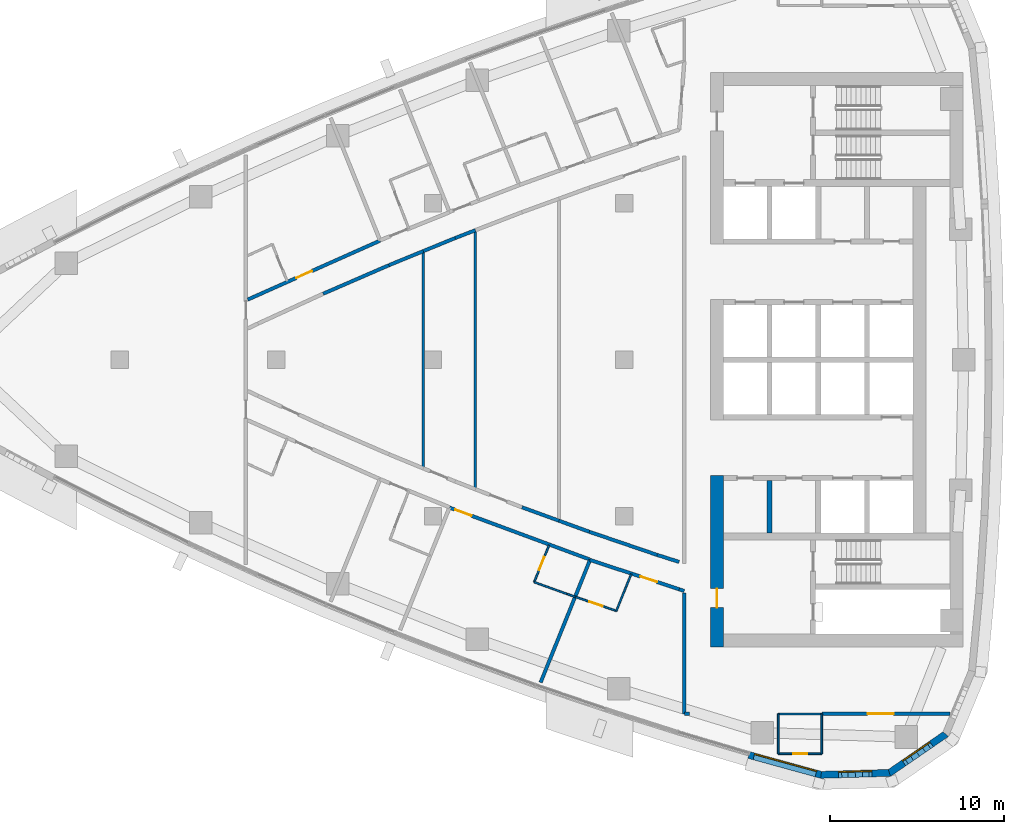
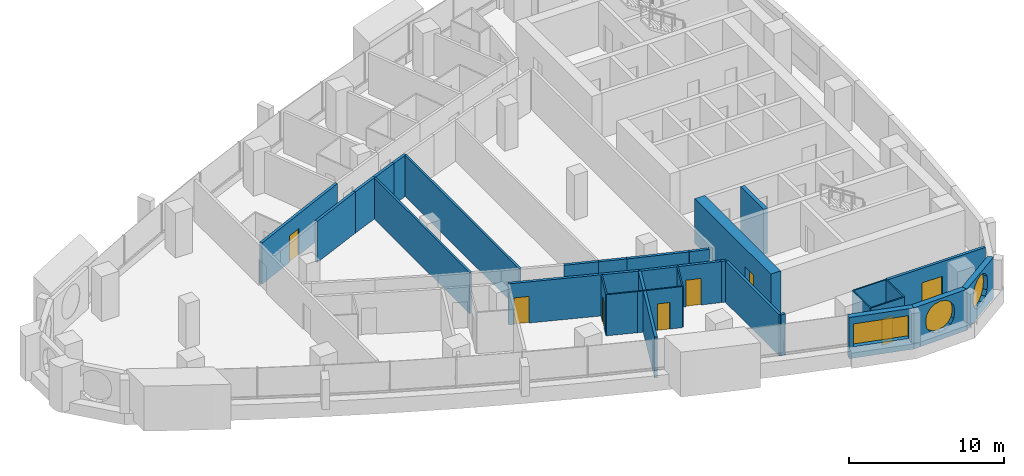
# One storey, part 10 of 17: 32 walls, 8 doors, 3 windows, 11 openings.
"""IFC4 building model written with IfcOpenShell, lengths in metres."""

from ifc_helpers import new_model, si_unit, direction, frame, frame_2d, origin, place, context, subcontext, project, spatial, polyline, rectangle, outline, extrude, material, layer, layer_set, type_object, element, fill, save


model = new_model("IFC4")

# Units and contexts
model_context = context("Model", 3, precision=1e-05, world=origin(), true_north=direction((0.0, 1.0)))
body_context = subcontext(model_context, "Body", "Model", "MODEL_VIEW")
ifc_project = project(units=[si_unit("LENGTHUNIT", "METRE"), si_unit("AREAUNIT", "SQUARE_METRE"), si_unit("VOLUMEUNIT", "CUBIC_METRE"), si_unit("PLANEANGLEUNIT", "RADIAN"), si_unit("MASSUNIT", "GRAM", prefix="KILO")], contexts=[model_context])

# Site, building, storey
site_placement = place(None, origin())
site = spatial("IfcSite", under=ifc_project, at=site_placement, CompositionType="ELEMENT")
building_placement = place(site_placement, origin())
building = spatial("IfcBuilding", under=site, at=building_placement, Name="Ostrand Prow Hotel Tower", CompositionType="ELEMENT")
storey_placement = place(building_placement, frame((0.0, 0.0, 203.89990234375)))
storey = spatial("IfcBuildingStorey", under=building, at=storey_placement, Name="L51", CompositionType="ELEMENT", Elevation=203.89990234375)

# Wall
ifc_material_1 = material(Name="Concrete C60/75", Category="concrete")
ifc_layer_1 = layer(ifc_material_1, 0.300048828125)
ifc_layer_set_1 = layer_set([ifc_layer_1], Name="Concrete C60/75")
wall_type_1 = type_object("IfcWallType", Name="Core wall 300 C60/75", PredefinedType="SHEAR", material=ifc_layer_set_1)
wall_1_placement = place(storey_placement, frame((53.35009765625, -9.949951171875, 0.0), z_axis=(0.0, 0.0, 1.0), x_axis=(0.0, 1.0, 0.0)))
element("IfcWall", 1, at=wall_1_placement, inside=storey, type_object=wall_type_1, Name="Core wall PW-R1-SA", PredefinedType="SHEAR", context=body_context, shape_type="SweptSolid", body=[
    extrude(rectangle(XDim=3.0, YDim=0.300048828125, at=frame_2d((1.5, 0.0))), origin(), (0.0, 0.0, 1.0), 3.550048828125),
])

# Wall, opening, door
ifc_material_2 = material(Name="Concrete C60/75", Category="concrete")
ifc_layer_2 = layer(ifc_material_2, 0.75)
ifc_layer_set_2 = layer_set([ifc_layer_2], Name="Concrete C60/75")
wall_type_2 = type_object("IfcWallType", Name="Core wall 750 C60/75", PredefinedType="SHEAR", material=ifc_layer_set_2)
wall_2_placement = place(storey_placement, frame((50.324951171875, -16.5, 0.0), z_axis=(0.0, 0.0, 1.0), x_axis=(0.0, 1.0, 0.0)))
wall_2 = element("IfcWall", 2, at=wall_2_placement, inside=storey, type_object=wall_type_2, Name="Core wall CW-W-S", PredefinedType="SHEAR", context=body_context, shape_type="SweptSolid", body=[
    extrude(rectangle(XDim=9.85009765625, YDim=0.75, at=frame_2d((4.925048828125, 0.0))), origin(), (0.0, 0.0, 1.0), 3.550048828125),
])
opening_1_placement = place(wall_2_placement, frame((2.25, 0.0, 0.0)))
opening_1 = element("IfcOpeningElement", 3, at=opening_1_placement, cuts=wall_2, Name="Opening FD1", PredefinedType="OPENING", context=body_context, shape_type="SweptSolid", body=[
    extrude(rectangle(XDim=1.10009765625, YDim=2.10009765625, at=frame_2d((0.550048828125, 1.050048828125))), frame((0.0, 0.385009765625, 0.0), z_axis=(0.0, -1.0, 0.0), x_axis=(1.0, 0.0, 0.0)), (0.0, 0.0, 1.0), 0.77001953125),
])
ifc_material_3 = material(Name="Steel fire door", Category="steel")
door_type_1 = type_object("IfcDoorType", Name="Fire door 1100 EI120", OperationType="SINGLE_SWING_RIGHT", PredefinedType="DOOR", material=ifc_material_3)
door_1_placement = place(opening_1_placement, origin())
door_1 = element("IfcDoor", 4, at=door_1_placement, inside=storey, type_object=door_type_1, Name="FIRE DOOR", OperationType="SINGLE_SWING_RIGHT", OverallHeight=2.10009765625, OverallWidth=1.10009765625, PredefinedType="DOOR", context=body_context, shape_type="SweptSolid", body=[
    extrude(rectangle(XDim=1.10009765625, YDim=2.10009765625, at=frame_2d((0.550048828125, 1.050048828125))), frame((0.0, 0.02490234375, 0.0), z_axis=(0.0, -1.0, 0.0), x_axis=(1.0, 0.0, 0.0)), (0.0, 0.0, 1.0), 0.050048828125),
])
fill(opening_1, door_1)

ifc_material_4 = material(Name="Plasterboard partition")
ifc_layer_3 = layer(ifc_material_4, 0.10009765625)
ifc_layer_set_3 = layer_set([ifc_layer_3], Name="Plasterboard partition")
wall_type_3 = type_object("IfcWallType", Name="Partition 100 bathroom wall", PredefinedType="PARTITIONING", material=ifc_layer_set_3)
wall_3_placement = place(storey_placement, frame((56.35009765625, -22.64990234375, 0.0), z_axis=(0.0, 0.0, 1.0), x_axis=(-1.0, 0.0, 0.0)))
wall_3 = element("IfcWall", 5, at=wall_3_placement, inside=storey, type_object=wall_type_3, Name="BATHROOM WALL", PredefinedType="PARTITIONING", context=body_context, shape_type="SweptSolid", body=[
    extrude(rectangle(XDim=2.5, YDim=0.10009765625, at=frame_2d((1.25, 0.0))), origin(), (0.0, 0.0, 1.0), 3.25),
])
opening_2_placement = place(wall_3_placement, frame((0.85009765625, 0.0, 0.0)))
opening_2 = element("IfcOpeningElement", 6, at=opening_2_placement, cuts=wall_3, Name="Opening D2", PredefinedType="OPENING", context=body_context, shape_type="SweptSolid", body=[
    extrude(rectangle(XDim=0.800048828125, YDim=2.10009765625, at=frame_2d((0.39990234375, 1.050048828125))), frame((0.0, 0.06005859375, 0.0), z_axis=(0.0, -1.0, 0.0), x_axis=(1.0, 0.0, 0.0)), (0.0, 0.0, 1.0), 0.1201171875),
])
ifc_material_5 = material(Name="Timber door leaf", Category="wood")
door_type_2 = type_object("IfcDoorType", Name="Bathroom door 800", OperationType="SINGLE_SWING_LEFT", PredefinedType="DOOR", material=ifc_material_5)
door_2_placement = place(opening_2_placement, origin())
door_2 = element("IfcDoor", 7, at=door_2_placement, inside=storey, type_object=door_type_2, Name="DOOR", OperationType="SINGLE_SWING_LEFT", OverallHeight=2.10009765625, OverallWidth=0.800048828125, PredefinedType="DOOR", context=body_context, shape_type="SweptSolid", body=[
    extrude(rectangle(XDim=0.800048828125, YDim=2.10009765625, at=frame_2d((0.39990234375, 1.050048828125))), frame((0.0, 0.02490234375, 0.0), z_axis=(0.0, -1.0, 0.0), x_axis=(1.0, 0.0, 0.0)), (0.0, 0.0, 1.0), 0.050048828125),
])
fill(opening_2, door_2)

# Walls
for number, where, z_axis, x_axis, name in (
    (8, (53.85009765625, -22.64990234375, 0.0), (0.0, 0.0, 1.0), (0.0, 1.0, 0.0), "BATHROOM WALL"),
    (9, (56.35009765625, -20.35009765625, 0.0), (0.0, 0.0, 1.0), (0.0, -1.0, 0.0), "BATHROOM WALL"),
):
    element("IfcWall", number, at=place(storey_placement, frame(where, z_axis=z_axis, x_axis=x_axis)), inside=storey, type_object=wall_type_3, Name=name, PredefinedType="PARTITIONING", context=body_context, shape_type="SweptSolid", body=[
        extrude(rectangle(XDim=2.2998046875, YDim=0.10009765625, at=frame_2d((1.14990234375, 0.0))), origin(), (0.0, 0.0, 1.0), 3.25),
    ])

# Wall, opening, door
wall_4_placement = place(storey_placement, frame((39.81787109375, -12.77880859375, 0.0), z_axis=(0.0, 0.0, 1.0), x_axis=(0.373883593317, 0.927475637765, 0.0)))
wall_4 = element("IfcWall", 10, at=wall_4_placement, inside=storey, type_object=wall_type_3, Name="BATHROOM WALL", PredefinedType="PARTITIONING", context=body_context, shape_type="SweptSolid", body=[
    extrude(rectangle(XDim=2.2783203125, YDim=0.10009765625, at=frame_2d((1.13916015625, 0.0))), origin(), (0.0, 0.0, 1.0), 3.25),
])
opening_3_placement = place(wall_4_placement, frame((0.75, 0.0, 0.0)))
opening_3 = element("IfcOpeningElement", 11, at=opening_3_placement, cuts=wall_4, Name="Opening D2", PredefinedType="OPENING", context=body_context, shape_type="SweptSolid", body=[
    extrude(rectangle(XDim=0.800048828125, YDim=2.10009765625, at=frame_2d((0.39990234375, 1.050048828125))), frame((0.0, 0.06005859375, 0.0), z_axis=(0.0, -1.0, 0.0), x_axis=(1.0, 0.0, 0.0)), (0.0, 0.0, 1.0), 0.1201171875),
])
door_3_placement = place(opening_3_placement, origin())
door_3 = element("IfcDoor", 12, at=door_3_placement, inside=storey, type_object=door_type_2, Name="DOOR", OperationType="SINGLE_SWING_LEFT", OverallHeight=2.10009765625, OverallWidth=0.800048828125, PredefinedType="DOOR", context=body_context, shape_type="SweptSolid", body=[
    extrude(rectangle(XDim=0.800048828125, YDim=2.10009765625, at=frame_2d((0.39990234375, 1.050048828125))), frame((0.0, 0.02490234375, 0.0), z_axis=(0.0, -1.0, 0.0), x_axis=(1.0, 0.0, 0.0)), (0.0, 0.0, 1.0), 0.050048828125),
])
fill(opening_3, door_3)

# Walls
wall_5_placement = place(storey_placement, frame((42.172119140625, -13.625, 0.0), z_axis=(0.0, 0.0, 1.0), x_axis=(-0.946456821894, 0.322830426526, 0.0)))
element("IfcWall", 13, at=wall_5_placement, inside=storey, type_object=wall_type_3, Name="BATHROOM WALL", PredefinedType="PARTITIONING", context=body_context, shape_type="SweptSolid", body=[
    extrude(rectangle(XDim=0.476318359375, YDim=0.10009765625, at=frame_2d((0.23828125, 0.0))), origin(), (0.0, 0.0, 1.0), 3.25),
])
wall_6_placement = place(storey_placement, frame((41.72119140625, -13.47119140625, 0.0), z_axis=(0.0, 0.0, 1.0), x_axis=(-0.939737092411, 0.341897933814, 0.0)))
element("IfcWall", 14, at=wall_6_placement, inside=storey, type_object=wall_type_3, Name="BATHROOM WALL", PredefinedType="PARTITIONING", context=body_context, shape_type="SweptSolid", body=[
    extrude(rectangle(XDim=2.025146484375, YDim=0.10009765625, at=frame_2d((1.0126953125, 0.0))), origin(), (0.0, 0.0, 1.0), 3.25),
])
wall_7_placement = place(storey_placement, frame((45.39453125, -12.318359375, 0.0), z_axis=(0.0, 0.0, 1.0), x_axis=(-0.373917841166, -0.927461831052, 0.0)))
element("IfcWall", 15, at=wall_7_placement, inside=storey, type_object=wall_type_3, Name="BATHROOM WALL", PredefinedType="PARTITIONING", context=body_context, shape_type="SweptSolid", body=[
    extrude(rectangle(XDim=2.28076171875, YDim=0.10009765625, at=frame_2d((1.140380859375, 0.0))), origin(), (0.0, 0.0, 1.0), 3.25),
])

# Wall, opening, door
wall_8_placement = place(storey_placement, frame((44.541748046875, -14.43359375, 0.0), z_axis=(0.0, 0.0, 1.0), x_axis=(-0.946406575113, 0.322977699822, 0.0)))
wall_8 = element("IfcWall", 16, at=wall_8_placement, inside=storey, type_object=wall_type_3, Name="BATHROOM WALL", PredefinedType="PARTITIONING", context=body_context, shape_type="SweptSolid", body=[
    extrude(rectangle(XDim=2.503662109375, YDim=0.10009765625, at=frame_2d((1.251953125, 0.0))), origin(), (0.0, 0.0, 1.0), 3.25),
])
opening_4_placement = place(wall_8_placement, frame((0.85009765625, 0.0, 0.0)))
opening_4 = element("IfcOpeningElement", 17, at=opening_4_placement, cuts=wall_8, Name="Opening D2", PredefinedType="OPENING", context=body_context, shape_type="SweptSolid", body=[
    extrude(rectangle(XDim=0.800048828125, YDim=2.10009765625, at=frame_2d((0.39990234375, 1.050048828125))), frame((0.0, 0.06005859375, 0.0), z_axis=(0.0, -1.0, 0.0), x_axis=(1.0, 0.0, 0.0)), (0.0, 0.0, 1.0), 0.1201171875),
])
door_4_placement = place(opening_4_placement, origin())
door_4 = element("IfcDoor", 18, at=door_4_placement, inside=storey, type_object=door_type_2, Name="DOOR", OperationType="SINGLE_SWING_LEFT", OverallHeight=2.10009765625, OverallWidth=0.800048828125, PredefinedType="DOOR", context=body_context, shape_type="SweptSolid", body=[
    extrude(rectangle(XDim=0.800048828125, YDim=2.10009765625, at=frame_2d((0.39990234375, 1.050048828125))), frame((0.0, 0.02490234375, 0.0), z_axis=(0.0, -1.0, 0.0), x_axis=(1.0, 0.0, 0.0)), (0.0, 0.0, 1.0), 0.050048828125),
])
fill(opening_4, door_4)

# Walls
wall_9_placement = place(storey_placement, frame((53.85009765625, -20.35498046875, 0.0), z_axis=(0.0, 0.0, 1.0), x_axis=(1.0, 0.0, 0.0)))
element("IfcWall", 19, at=wall_9_placement, inside=storey, type_object=wall_type_3, Name="BATHROOM WALL", PredefinedType="PARTITIONING", context=body_context, shape_type="SweptSolid", body=[
    extrude(rectangle(XDim=2.5, YDim=0.10009765625, at=frame_2d((1.25, 0.0))), origin(), (0.0, 0.0, 1.0), 3.25),
])
ifc_material_6 = material(Name="Plasterboard partition")
ifc_layer_4 = layer(ifc_material_6, 0.14990234375)
ifc_layer_set_4 = layer_set([ifc_layer_4], Name="Plasterboard partition")
wall_type_4 = type_object("IfcWallType", Name="Partition 150 room partition", PredefinedType="PARTITIONING", material=ifc_layer_set_4)
wall_10_placement = place(storey_placement, frame((33.44140625, -6.241943359375, 0.0), z_axis=(0.0, 0.0, 1.0), x_axis=(0.0, 1.0, 0.0)))
element("IfcWall", 20, at=wall_10_placement, inside=storey, type_object=wall_type_4, Name="ROOM PARTITION", PredefinedType="PARTITIONING", context=body_context, shape_type="SweptSolid", body=[
    extrude(rectangle(XDim=12.48388671875, YDim=0.14990234375, at=frame_2d((6.241943359375, 0.0))), origin(), (0.0, 0.0, 1.0), 3.25),
])
wall_11_placement = place(storey_placement, frame((36.44140625, -7.445068359375, 0.0), z_axis=(0.0, 0.0, 1.0), x_axis=(0.0, 1.0, 0.0)))
element("IfcWall", 21, at=wall_11_placement, inside=storey, type_object=wall_type_4, Name="ROOM PARTITION", PredefinedType="PARTITIONING", context=body_context, shape_type="SweptSolid", body=[
    extrude(rectangle(XDim=14.89013671875, YDim=0.14990234375, at=frame_2d((7.445068359375, 0.0))), origin(), (0.0, 0.0, 1.0), 3.25),
])

# Wall, opening, door
ifc_material_7 = material(Name="Plasterboard partition")
ifc_layer_5 = layer(ifc_material_7, 0.199951171875)
ifc_layer_set_5 = layer_set([ifc_layer_5], Name="Plasterboard partition")
wall_type_5 = type_object("IfcWallType", Name="Partition 200 corridor wall", PredefinedType="PARTITIONING", material=ifc_layer_set_5)
wall_12_placement = place(storey_placement, frame((23.35400390625, 3.45751953125, 0.0), z_axis=(0.0, 0.0, 1.0), x_axis=(0.913485016927, 0.406872368009, 0.0)))
wall_12 = element("IfcWall", 22, at=wall_12_placement, inside=storey, type_object=wall_type_5, Name="CORRIDOR WALL", PredefinedType="PARTITIONING", context=body_context, shape_type="SweptSolid", body=[
    extrude(rectangle(XDim=8.332275390625, YDim=0.199951171875, at=frame_2d((4.166015625, 0.0))), origin(), (0.0, 0.0, 1.0), 3.25),
])
opening_5_placement = place(wall_12_placement, frame((3.050048828125, 0.0, 0.0)))
opening_5 = element("IfcOpeningElement", 23, at=opening_5_placement, cuts=wall_12, Name="Opening D1R", PredefinedType="OPENING", context=body_context, shape_type="SweptSolid", body=[
    extrude(rectangle(XDim=1.0, YDim=2.10009765625, at=frame_2d((0.5, 1.050048828125))), frame((0.0, 0.10986328125, 0.0), z_axis=(0.0, -1.0, 0.0), x_axis=(1.0, 0.0, 0.0)), (0.0, 0.0, 1.0), 0.219970703125),
])
ifc_material_8 = material(Name="Timber door leaf", Category="wood")
door_type_3 = type_object("IfcDoorType", Name="Guest room door 1000 right", OperationType="SINGLE_SWING_RIGHT", PredefinedType="DOOR", material=ifc_material_8)
door_5_placement = place(opening_5_placement, origin())
door_5 = element("IfcDoor", 24, at=door_5_placement, inside=storey, type_object=door_type_3, Name="DOOR", OperationType="SINGLE_SWING_RIGHT", OverallHeight=2.10009765625, OverallWidth=1.0, PredefinedType="DOOR", context=body_context, shape_type="SweptSolid", body=[
    extrude(rectangle(XDim=1.0, YDim=2.10009765625, at=frame_2d((0.5, 1.050048828125))), frame((0.0, 0.02490234375, 0.0), z_axis=(0.0, -1.0, 0.0), x_axis=(1.0, 0.0, 0.0)), (0.0, 0.0, 1.0), 0.050048828125),
])
fill(opening_5, door_5)

wall_13_placement = place(storey_placement, frame((34.9482421875, -8.497314453125, 0.0), z_axis=(0.0, 0.0, 1.0), x_axis=(0.937864515454, -0.347001657996, 0.0)))
wall_13 = element("IfcWall", 25, at=wall_13_placement, inside=storey, type_object=wall_type_5, Name="CORRIDOR WALL", PredefinedType="PARTITIONING", context=body_context, shape_type="SweptSolid", body=[
    extrude(rectangle(XDim=8.620849609375, YDim=0.199951171875, at=frame_2d((4.310546875, 0.0))), origin(), (0.0, 0.0, 1.0), 3.25),
])
opening_6_placement = place(wall_13_placement, frame((0.35009765625, 0.0, 0.0)))
opening_6 = element("IfcOpeningElement", 26, at=opening_6_placement, cuts=wall_13, Name="Opening D1", PredefinedType="OPENING", context=body_context, shape_type="SweptSolid", body=[
    extrude(rectangle(XDim=1.0, YDim=2.10009765625, at=frame_2d((0.5, 1.050048828125))), frame((0.0, 0.10986328125, 0.0), z_axis=(0.0, -1.0, 0.0), x_axis=(1.0, 0.0, 0.0)), (0.0, 0.0, 1.0), 0.219970703125),
])
ifc_material_9 = material(Name="Timber door leaf", Category="wood")
door_type_4 = type_object("IfcDoorType", Name="Guest room door 1000", OperationType="SINGLE_SWING_LEFT", PredefinedType="DOOR", material=ifc_material_9)
door_6_placement = place(opening_6_placement, origin())
door_6 = element("IfcDoor", 27, at=door_6_placement, inside=storey, type_object=door_type_4, Name="DOOR", OperationType="SINGLE_SWING_LEFT", OverallHeight=2.10009765625, OverallWidth=1.0, PredefinedType="DOOR", context=body_context, shape_type="SweptSolid", body=[
    extrude(rectangle(XDim=1.0, YDim=2.10009765625, at=frame_2d((0.5, 1.050048828125))), frame((0.0, 0.02490234375, 0.0), z_axis=(0.0, -1.0, 0.0), x_axis=(1.0, 0.0, 0.0)), (0.0, 0.0, 1.0), 0.050048828125),
])
fill(opening_6, door_6)

# Walls
wall_14_placement = place(storey_placement, frame((27.689697265625, 3.79345703125, 0.0), z_axis=(0.0, 0.0, 1.0), x_axis=(0.917375244839, 0.398023441717, 0.0)))
element("IfcWall", 28, at=wall_14_placement, inside=storey, type_object=wall_type_5, Name="CORRIDOR WALL", PredefinedType="PARTITIONING", context=body_context, shape_type="SweptSolid", body=[
    extrude(rectangle(XDim=4.116943359375, YDim=0.199951171875, at=frame_2d((2.05859375, 0.0))), origin(), (0.0, 0.0, 1.0), 3.25),
])
wall_15_placement = place(storey_placement, frame((31.466552734375, 5.43212890625, 0.0), z_axis=(0.0, 0.0, 1.0), x_axis=(0.925231428595, 0.379403220256, 0.0)))
element("IfcWall", 29, at=wall_15_placement, inside=storey, type_object=wall_type_5, Name="CORRIDOR WALL", PredefinedType="PARTITIONING", context=body_context, shape_type="SweptSolid", body=[
    extrude(rectangle(XDim=2.134521484375, YDim=0.199951171875, at=frame_2d((1.0673828125, 0.0))), origin(), (0.0, 0.0, 1.0), 3.25),
])
wall_16_placement = place(storey_placement, frame((35.275634765625, 6.994384765625, 0.0), z_axis=(0.0, 0.0, 1.0), x_axis=(0.932724985261, 0.360588549276, 0.0)))
element("IfcWall", 30, at=wall_16_placement, inside=storey, type_object=wall_type_5, Name="CORRIDOR WALL", PredefinedType="PARTITIONING", context=body_context, shape_type="SweptSolid", body=[
    extrude(rectangle(XDim=1.249755859375, YDim=0.199951171875, at=frame_2d((0.625, 0.0))), origin(), (0.0, 0.0, 1.0), 3.25),
])
wall_17_placement = place(storey_placement, frame((33.44140625, 6.241943359375, 0.0), z_axis=(0.0, 0.0, 1.0), x_axis=(0.925179705777, 0.379529329589, 0.0)))
element("IfcWall", 31, at=wall_17_placement, inside=storey, type_object=wall_type_5, Name="CORRIDOR WALL", PredefinedType="PARTITIONING", context=body_context, shape_type="SweptSolid", body=[
    extrude(rectangle(XDim=1.982666015625, YDim=0.199951171875, at=frame_2d((0.9912109375, 0.0))), origin(), (0.0, 0.0, 1.0), 3.25),
])
wall_18_placement = place(storey_placement, frame((41.244873046875, -9.254150390625, 0.0), z_axis=(0.0, 0.0, 1.0), x_axis=(-0.939746227223, 0.341872824923, 0.0)))
element("IfcWall", 32, at=wall_18_placement, inside=storey, type_object=wall_type_5, Name="CORRIDOR WALL", PredefinedType="PARTITIONING", context=body_context, shape_type="SweptSolid", body=[
    extrude(rectangle(XDim=2.265869140625, YDim=0.199951171875, at=frame_2d((1.1328125, 0.0))), origin(), (0.0, 0.0, 1.0), 3.25),
])
wall_19_placement = place(storey_placement, frame((46.880859375, -11.216552734375, 0.0), z_axis=(0.0, 0.0, 1.0), x_axis=(-0.946436071896, 0.322891253852, 0.0)))
element("IfcWall", 33, at=wall_19_placement, inside=storey, type_object=wall_type_5, Name="CORRIDOR WALL", PredefinedType="PARTITIONING", context=body_context, shape_type="SweptSolid", body=[
    extrude(rectangle(XDim=4.116943359375, YDim=0.199951171875, at=frame_2d((2.05859375, 0.0))), origin(), (0.0, 0.0, 1.0), 3.25),
])
wall_20_placement = place(storey_placement, frame((42.984375, -9.88720703125, 0.0), z_axis=(0.0, 0.0, 1.0), x_axis=(-0.939704824537, 0.341986611933, 0.0)))
element("IfcWall", 34, at=wall_20_placement, inside=storey, type_object=wall_type_5, Name="CORRIDOR WALL", PredefinedType="PARTITIONING", context=body_context, shape_type="SweptSolid", body=[
    extrude(rectangle(XDim=1.85107421875, YDim=0.199951171875, at=frame_2d((0.925537109375, 0.0))), origin(), (0.0, 0.0, 1.0), 3.25),
])

# Wall, opening, door
wall_21_placement = place(storey_placement, frame((56.35498046875, -20.35498046875, 0.0), z_axis=(0.0, 0.0, 1.0), x_axis=(1.0, 0.0, 0.0)))
wall_21 = element("IfcWall", 35, at=wall_21_placement, inside=storey, type_object=wall_type_5, Name="CORRIDOR WALL", PredefinedType="PARTITIONING", context=body_context, shape_type="SweptSolid", body=[
    extrude(rectangle(XDim=7.3544921875, YDim=0.199951171875, at=frame_2d((3.67724609375, 0.0))), origin(), (0.0, 0.0, 1.0), 3.25),
])
opening_7_placement = place(wall_21_placement, frame((2.623779296875, 0.0, 0.0)))
opening_7 = element("IfcOpeningElement", 36, at=opening_7_placement, cuts=wall_21, Name="Opening D15", PredefinedType="OPENING", context=body_context, shape_type="SweptSolid", body=[
    extrude(rectangle(XDim=1.5, YDim=2.10009765625, at=frame_2d((0.75, 1.050048828125))), frame((0.0, 0.10986328125, 0.0), z_axis=(0.0, -1.0, 0.0), x_axis=(1.0, 0.0, 0.0)), (0.0, 0.0, 1.0), 0.219970703125),
])
ifc_material_10 = material(Name="Timber door leaf", Category="wood")
door_type_5 = type_object("IfcDoorType", Name="Double door 1500", OperationType="DOUBLE_DOOR_SINGLE_SWING", PredefinedType="DOOR", material=ifc_material_10)
door_7_placement = place(opening_7_placement, origin())
door_7 = element("IfcDoor", 37, at=door_7_placement, inside=storey, type_object=door_type_5, Name="DOOR", OperationType="DOUBLE_DOOR_SINGLE_SWING", OverallHeight=2.10009765625, OverallWidth=1.5, PredefinedType="DOOR", context=body_context, shape_type="SweptSolid", body=[
    extrude(rectangle(XDim=1.5, YDim=2.10009765625, at=frame_2d((0.75, 1.050048828125))), frame((0.0, 0.02490234375, 0.0), z_axis=(0.0, -1.0, 0.0), x_axis=(1.0, 0.0, 0.0)), (0.0, 0.0, 1.0), 0.050048828125),
])
fill(opening_7, door_7)

wall_22_placement = place(storey_placement, frame((43.02587890625, -11.50732421875, 0.0), z_axis=(0.0, 0.0, 1.0), x_axis=(0.949951949432, -0.312396052744, 0.0)))
wall_22 = element("IfcWall", 38, at=wall_22_placement, inside=storey, type_object=wall_type_5, Name="CORRIDOR WALL", PredefinedType="PARTITIONING", context=body_context, shape_type="SweptSolid", body=[
    extrude(rectangle(XDim=5.39404296875, YDim=0.199951171875, at=frame_2d((2.697021484375, 0.0))), origin(), (0.0, 0.0, 1.0), 3.25),
])
opening_8_placement = place(wall_22_placement, frame((3.050048828125, 0.0, 0.0)))
opening_8 = element("IfcOpeningElement", 39, at=opening_8_placement, cuts=wall_22, Name="Opening D1", PredefinedType="OPENING", context=body_context, shape_type="SweptSolid", body=[
    extrude(rectangle(XDim=1.0, YDim=2.10009765625, at=frame_2d((0.5, 1.050048828125))), frame((0.0, 0.10986328125, 0.0), z_axis=(0.0, -1.0, 0.0), x_axis=(1.0, 0.0, 0.0)), (0.0, 0.0, 1.0), 0.219970703125),
])
door_8_placement = place(opening_8_placement, origin())
door_8 = element("IfcDoor", 40, at=door_8_placement, inside=storey, type_object=door_type_4, Name="DOOR", OperationType="SINGLE_SWING_LEFT", OverallHeight=2.10009765625, OverallWidth=1.0, PredefinedType="DOOR", context=body_context, shape_type="SweptSolid", body=[
    extrude(rectangle(XDim=1.0, YDim=2.10009765625, at=frame_2d((0.5, 1.050048828125))), frame((0.0, 0.02490234375, 0.0), z_axis=(0.0, -1.0, 0.0), x_axis=(1.0, 0.0, 0.0)), (0.0, 0.0, 1.0), 0.050048828125),
])
fill(opening_8, door_8)

# Walls
wall_23_placement = place(storey_placement, frame((48.14990234375, -11.62109375, 0.0), z_axis=(0.0, 0.0, 1.0), x_axis=(-0.952761948983, 0.303718074157, 0.0)))
element("IfcWall", 41, at=wall_23_placement, inside=storey, type_object=wall_type_5, Name="CORRIDOR WALL", PredefinedType="PARTITIONING", context=body_context, shape_type="SweptSolid", body=[
    extrude(rectangle(XDim=1.33203125, YDim=0.199951171875, at=frame_2d((0.666015625, 0.0))), origin(), (0.0, 0.0, 1.0), 3.25),
])
wall_24_placement = place(storey_placement, frame((48.14990234375, -13.1923828125, 0.0), z_axis=(0.0, 0.0, 1.0), x_axis=(0.944623214561, -0.328156947987, 0.0)))
element("IfcWall", 42, at=wall_24_placement, inside=storey, type_object=wall_type_5, Name="CORRIDOR WALL", PredefinedType="PARTITIONING", context=body_context, shape_type="SweptSolid", body=[
    extrude(rectangle(XDim=0.3125, YDim=0.199951171875, at=frame_2d((0.15625, 0.0))), origin(), (0.0, 0.0, 1.0), 3.25),
])
wall_25_placement = place(storey_placement, frame((48.445068359375, -13.414794921875, 0.0), z_axis=(0.0, 0.0, 1.0), x_axis=(0.0, -1.0, 0.0)))
element("IfcWall", 43, at=wall_25_placement, inside=storey, type_object=wall_type_5, Name="CORRIDOR WALL", PredefinedType="PARTITIONING", context=body_context, shape_type="SweptSolid", body=[
    extrude(rectangle(XDim=6.935302734375, YDim=0.199951171875, at=frame_2d((3.4677734375, 0.0))), origin(), (0.0, 0.0, 1.0), 3.25),
])
wall_26_placement = place(storey_placement, frame((48.445068359375, -20.35009765625, 0.0), z_axis=(0.0, 0.0, 1.0), x_axis=(0.999849757003, -0.017333880736, 0.0)))
element("IfcWall", 44, at=wall_26_placement, inside=storey, type_object=wall_type_5, Name="CORRIDOR WALL", PredefinedType="PARTITIONING", context=body_context, shape_type="SweptSolid", body=[
    extrude(rectangle(XDim=0.309814453125, YDim=0.199951171875, at=frame_2d((0.15478515625, 0.0))), origin(), (0.0, 0.0, 1.0), 3.25),
])
ifc_material_11 = material(Name="Plasterboard partition")
ifc_layer_6 = layer(ifc_material_11, 0.199951171875)
ifc_layer_set_6 = layer_set([ifc_layer_6], Name="Plasterboard partition")
wall_type_6 = type_object("IfcWallType", Name="Partition 200 key partition", PredefinedType="PARTITIONING", material=ifc_layer_set_6)
wall_27_placement = place(storey_placement, frame((40.187744140625, -18.548095703125, 0.0), z_axis=(0.0, 0.0, 1.0), x_axis=(0.373877998371, 0.927477893178, 0.0)))
element("IfcWall", 45, at=wall_27_placement, inside=storey, type_object=wall_type_6, Name="KEY PARTITION", PredefinedType="PARTITIONING", context=body_context, shape_type="SweptSolid", body=[
    extrude(rectangle(XDim=7.611328125, YDim=0.199951171875, at=frame_2d((3.8056640625, 0.0))), origin(), (0.0, 0.0, 1.0), 3.25),
])

# Wall, opening, window
ifc_material_12 = material(Name="Precast concrete C40/50", Category="concrete")
ifc_layer_7 = layer(ifc_material_12, 0.39990234375)
ifc_layer_set_7 = layer_set([ifc_layer_7], Name="Precast concrete C40/50")
wall_type_7 = type_object("IfcWallType", Name="Stone-faced precast wall 400 mm", PredefinedType="NOTDEFINED", material=ifc_layer_set_7)
wall_28_placement = place(storey_placement, frame((52.15478515625, -22.7158203125, 0.0), z_axis=(0.0, 0.0, 1.0), x_axis=(0.964205755089, -0.265155165617, 0.0)))
wall_28 = element("IfcWall", 46, at=wall_28_placement, inside=storey, type_object=wall_type_7, Name="Stone-faced wall back 1", PredefinedType="NOTDEFINED", context=body_context, shape_type="SweptSolid", body=[
    extrude(outline(polyline([(0.0, -0.199951171875), (4.3369140625, -0.199951171875), (4.27734375, 0.199951171875), (0.0, 0.199951171875), (0.0, -0.199951171875)])), origin(), (0.0, 0.0, 1.0), 3.25),
])
opening_9_placement = place(wall_28_placement, frame((0.303466796875, 0.0, 0.89990234375)))
opening_9 = element("IfcOpeningElement", 47, at=opening_9_placement, cuts=wall_28, Name="Opening WS3-37", PredefinedType="OPENING", context=body_context, shape_type="SweptSolid", body=[
    extrude(rectangle(XDim=3.699951171875, YDim=1.800048828125, at=frame_2d((1.85009765625, 0.89990234375))), frame((0.0, 0.2099609375, 0.0), z_axis=(0.0, -1.0, 0.0), x_axis=(1.0, 0.0, 0.0)), (0.0, 0.0, 1.0), 0.419921875),
])
ifc_material_13 = material(Name="Insulated glass in bronze frame", Category="glass")
window_type_1 = type_object("IfcWindowType", Name="Strip window 3700x1800", PartitioningType="SINGLE_PANEL", PredefinedType="WINDOW", material=ifc_material_13)
window_1_placement = place(opening_9_placement, origin())
window_1 = element("IfcWindow", 48, at=window_1_placement, inside=storey, type_object=window_type_1, Name="Window back 1.1", OverallHeight=1.800048828125, OverallWidth=3.699951171875, PartitioningType="SINGLE_PANEL", PredefinedType="WINDOW", context=body_context, shape_type="SweptSolid", body=[
    extrude(rectangle(XDim=3.699951171875, YDim=1.800048828125, at=frame_2d((1.85009765625, 0.89990234375))), frame((0.0, 0.169921875, 0.0), z_axis=(0.0, -1.0, 0.0), x_axis=(1.0, 0.0, 0.0)), (0.0, 0.0, 1.0), 0.06005859375),
])
fill(opening_9, window_1)

wall_29_placement = place(storey_placement, frame((56.307861328125, -23.85791015625, 0.0), z_axis=(0.0, 0.0, 1.0), x_axis=(0.999587920197, 0.028705222472, 0.0)))
wall_29 = element("IfcWall", 49, at=wall_29_placement, inside=storey, type_object=wall_type_7, Name="Stone-faced wall back 2", PredefinedType="NOTDEFINED", context=body_context, shape_type="SweptSolid", body=[
    extrude(outline(polyline([(-0.02978515625, -0.199951171875), (3.988525390625, -0.199951171875), (3.870361328125, 0.199951171875), (0.02978515625, 0.199951171875), (-0.02978515625, -0.199951171875)])), origin(), (0.0, 0.0, 1.0), 3.25),
])
opening_10_placement = place(wall_29_placement, frame((0.864501953125, 0.0, 0.60009765625)))
opening_10 = element("IfcOpeningElement", 50, at=opening_10_placement, cuts=wall_29, Name="Opening WP1", PredefinedType="OPENING", context=body_context, shape_type="SweptSolid", body=[
    extrude(outline(polyline([(0.0, 1.35009765625), (0.083740234375, 1.77099609375), (0.322265625, 2.127685546875), (0.678955078125, 2.3662109375), (1.10009765625, 2.449951171875), (1.52099609375, 2.3662109375), (1.877685546875, 2.127685546875), (2.1162109375, 1.77099609375), (2.199951171875, 1.35009765625), (2.199951171875, 1.10009765625), (2.1162109375, 0.678955078125), (1.877685546875, 0.322265625), (1.52099609375, 0.083740234375), (1.10009765625, 0.0), (0.678955078125, 0.083740234375), (0.322265625, 0.322265625), (0.083740234375, 0.678955078125), (0.0, 1.099853515625), (0.0, 1.35009765625)])), frame((0.0, 0.2099609375, 0.0), z_axis=(0.0, -1.0, 0.0), x_axis=(1.0, 0.0, 0.0)), (0.0, 0.0, 1.0), 0.419921875),
])
ifc_material_14 = material(Name="Insulated glass in bronze frame", Category="glass")
window_type_2 = type_object("IfcWindowType", Name="Round-ended prow window 2200x2450", PartitioningType="SINGLE_PANEL", PredefinedType="WINDOW", material=ifc_material_14)
window_2_placement = place(opening_10_placement, origin())
window_2 = element("IfcWindow", 51, at=window_2_placement, inside=storey, type_object=window_type_2, Name="Window back 2.1", OverallHeight=2.449951171875, OverallWidth=2.199951171875, PartitioningType="SINGLE_PANEL", PredefinedType="WINDOW", context=body_context, shape_type="SweptSolid", body=[
    extrude(outline(polyline([(0.0, 1.35009765625), (0.083740234375, 1.77099609375), (0.322265625, 2.127685546875), (0.678955078125, 2.3662109375), (1.10009765625, 2.449951171875), (1.52099609375, 2.3662109375), (1.877685546875, 2.127685546875), (2.1162109375, 1.77099609375), (2.199951171875, 1.35009765625), (2.199951171875, 1.10009765625), (2.1162109375, 0.678955078125), (1.877685546875, 0.322265625), (1.52099609375, 0.083740234375), (1.10009765625, 0.0), (0.678955078125, 0.083740234375), (0.322265625, 0.322265625), (0.083740234375, 0.678955078125), (0.0, 1.099853515625), (0.0, 1.35009765625)])), frame((0.0, 0.169921875, 0.0), z_axis=(0.0, -1.0, 0.0), x_axis=(1.0, 0.0, 0.0)), (0.0, 0.0, 1.0), 0.06005859375),
])
fill(opening_10, window_2)

wall_30_placement = place(storey_placement, frame((60.235595703125, -23.7451171875, 0.0), z_axis=(0.0, 0.0, 1.0), x_axis=(0.823806162588, 0.566871596115, 0.0)))
wall_30 = element("IfcWall", 52, at=wall_30_placement, inside=storey, type_object=wall_type_7, Name="Stone-faced wall back 3", PredefinedType="NOTDEFINED", context=body_context, shape_type="SweptSolid", body=[
    extrude(outline(polyline([(-0.05908203125, -0.199951171875), (3.98828125, -0.199951171875), (3.8701171875, 0.199951171875), (0.05908203125, 0.199951171875), (-0.05908203125, -0.199951171875)])), origin(), (0.0, 0.0, 1.0), 3.25),
])
opening_11_placement = place(wall_30_placement, frame((0.864501953125, 0.0, 0.60009765625)))
opening_11 = element("IfcOpeningElement", 53, at=opening_11_placement, cuts=wall_30, Name="Opening WP1", PredefinedType="OPENING", context=body_context, shape_type="SweptSolid", body=[
    extrude(outline(polyline([(0.0, 1.35009765625), (0.083740234375, 1.77099609375), (0.322265625, 2.127685546875), (0.678955078125, 2.3662109375), (1.10009765625, 2.449951171875), (1.52099609375, 2.3662109375), (1.877685546875, 2.127685546875), (2.1162109375, 1.77099609375), (2.199951171875, 1.35009765625), (2.199951171875, 1.10009765625), (2.1162109375, 0.678955078125), (1.877685546875, 0.322265625), (1.52099609375, 0.083740234375), (1.10009765625, 0.0), (0.678955078125, 0.083740234375), (0.322265625, 0.322265625), (0.083740234375, 0.678955078125), (0.0, 1.099853515625), (0.0, 1.35009765625)])), frame((0.0, 0.2099609375, 0.0), z_axis=(0.0, -1.0, 0.0), x_axis=(1.0, 0.0, 0.0)), (0.0, 0.0, 1.0), 0.419921875),
])
window_3_placement = place(opening_11_placement, origin())
window_3 = element("IfcWindow", 54, at=window_3_placement, inside=storey, type_object=window_type_2, Name="Window back 3.1", OverallHeight=2.449951171875, OverallWidth=2.199951171875, PartitioningType="SINGLE_PANEL", PredefinedType="WINDOW", context=body_context, shape_type="SweptSolid", body=[
    extrude(outline(polyline([(0.0, 1.35009765625), (0.083740234375, 1.77099609375), (0.322265625, 2.127685546875), (0.678955078125, 2.3662109375), (1.10009765625, 2.449951171875), (1.52099609375, 2.3662109375), (1.877685546875, 2.127685546875), (2.1162109375, 1.77099609375), (2.199951171875, 1.35009765625), (2.199951171875, 1.10009765625), (2.1162109375, 0.678955078125), (1.877685546875, 0.322265625), (1.52099609375, 0.083740234375), (1.10009765625, 0.0), (0.678955078125, 0.083740234375), (0.322265625, 0.322265625), (0.083740234375, 0.678955078125), (0.0, 1.099853515625), (0.0, 1.35009765625)])), frame((0.0, 0.169921875, 0.0), z_axis=(0.0, -1.0, 0.0), x_axis=(1.0, 0.0, 0.0)), (0.0, 0.0, 1.0), 0.06005859375),
])
fill(opening_11, window_3)

save(model, "model.ifc")
